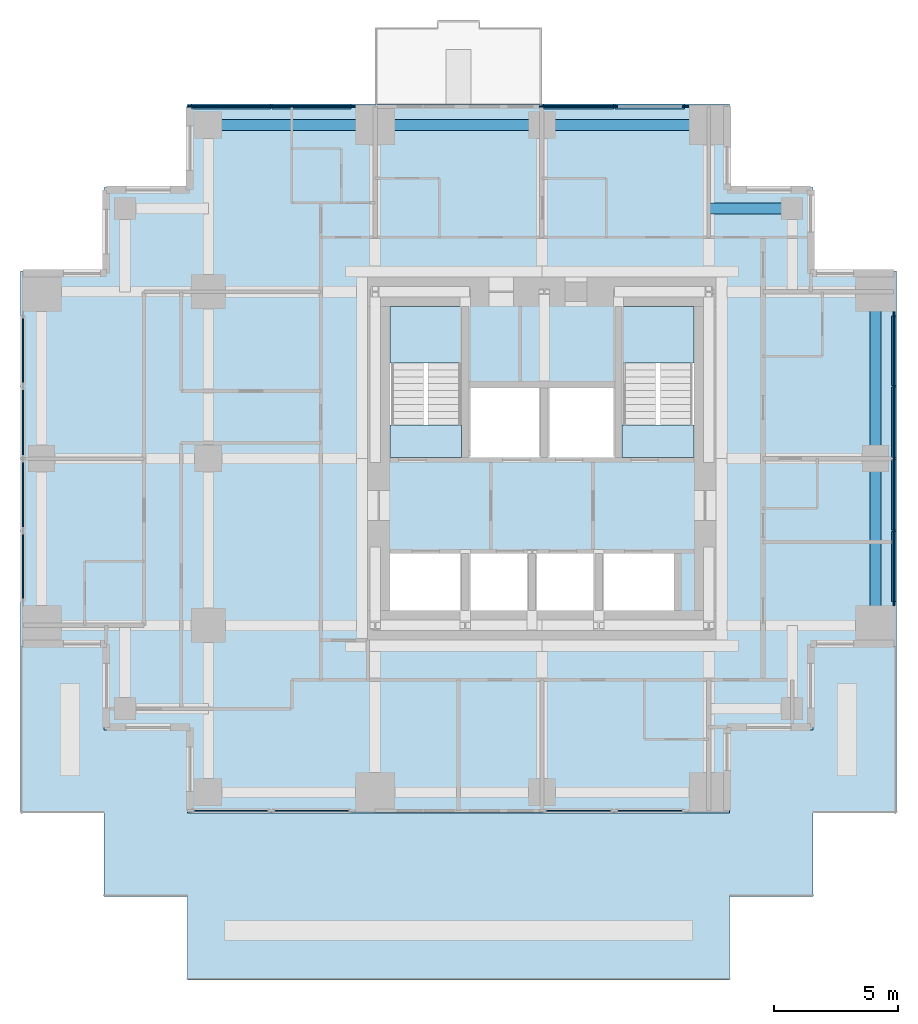
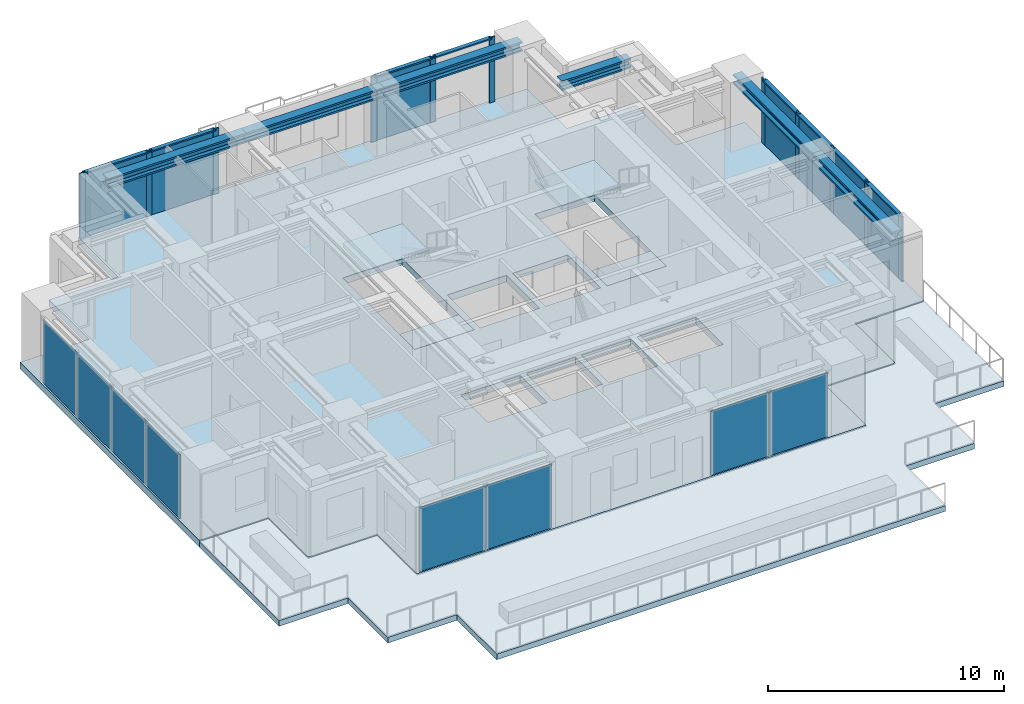
# One storey, part 2 of 7: 19 members, 15 plates, 6 beams, 6 slabs, 8 elements without a shape of their own.
"""IFC4 building model written with IfcOpenShell, lengths in metres."""

from ifc_helpers import new_model, si_unit, direction, frame, origin, origin_2d, place, context, subcontext, project, spatial, polyline, rectangle, i_section, outline, extrude, material, layer, layer_set, material_profile, profile_set, type_object, element, aggregate, save


model = new_model("IFC4")

# Units and contexts
model_context = context("Model", 3, precision=1e-05, world=origin(), true_north=direction((0.0, 1.0)))
body_context = subcontext(model_context, "Body", "Model", "MODEL_VIEW")
ifc_project = project(units=[si_unit("LENGTHUNIT", "METRE"), si_unit("AREAUNIT", "SQUARE_METRE"), si_unit("VOLUMEUNIT", "CUBIC_METRE"), si_unit("PLANEANGLEUNIT", "RADIAN"), si_unit("MASSUNIT", "GRAM", prefix="KILO")], contexts=[model_context])

# Site, building, storey
site_placement = place(None, origin())
site = spatial("IfcSite", under=ifc_project, at=site_placement, CompositionType="ELEMENT")
building_placement = place(site_placement, origin())
building = spatial("IfcBuilding", under=site, at=building_placement, Name="Nyansa Garden Tower", CompositionType="ELEMENT")
storey_placement = place(building_placement, frame((0.0, 0.0, 204.300048828125)))
storey = spatial("IfcBuildingStorey", under=building, at=storey_placement, Name="L55", CompositionType="ELEMENT", Elevation=204.300048828125)

# Curtain wall, members
ifc_material_1 = material(Name="Black anodised aluminium, dark tinted double glazing", Category="aluminium")
curtain_wall_type = type_object("IfcCurtainWallType", Name="Inner skin curtain wall ISW-D", PredefinedType="USERDEFINED", material=ifc_material_1)
curtain_wall_1_placement = place(storey_placement, origin())
curtain_wall_1 = element("IfcCurtainWall", 1, at=curtain_wall_1_placement, inside=storey, type_object=curtain_wall_type, Name="Inner skin curtain wall L55 E", ObjectType="UNITISED CURTAIN WALL", PredefinedType="USERDEFINED")
ifc_material_2 = material(Name="Black anodised aluminium", Category="aluminium")
ifc_material_profile_1 = material_profile(ifc_material_2, rectangle(XDim=0.070068359375, YDim=0.27490234375, at=origin_2d()), Name="Mullion 275x70")
ifc_profile_set_1 = profile_set([ifc_material_profile_1], Name="Black anodised aluminium")
member_type_1 = type_object("IfcMemberType", Name="Mullion ISW-D 275x70", PredefinedType="MULLION", material=ifc_profile_set_1)
member_1_placement = place(storey_placement, frame((34.5, 14.4375, 0.0), z_axis=(0.0, 0.0, 1.0), x_axis=(-1.0, 0.0, 0.0)))
member_1 = element("IfcMember", 2, at=member_1_placement, type_object=member_type_1, Name="ISW-D mullion 1", PredefinedType="MULLION", context=body_context, shape_type="SweptSolid", body=[
    extrude(rectangle(XDim=0.070068359375, YDim=0.27490234375, at=origin_2d()), origin(), (0.0, 0.0, 1.0), 3.375),
])
member_2_placement = place(storey_placement, frame((34.5, 17.326171875, 0.0), z_axis=(0.0, 0.0, 1.0), x_axis=(-1.0, 0.0, 0.0)))
member_2 = element("IfcMember", 3, at=member_2_placement, type_object=member_type_1, Name="ISW-D mullion 2", PredefinedType="MULLION", context=body_context, shape_type="SweptSolid", body=[
    extrude(rectangle(XDim=0.070068359375, YDim=0.27490234375, at=origin_2d()), origin(), (0.0, 0.0, 1.0), 3.375),
])
member_3_placement = place(storey_placement, frame((34.5, 20.25, 0.0), z_axis=(0.0, 0.0, 1.0), x_axis=(-1.0, 0.0, 0.0)))
member_3 = element("IfcMember", 4, at=member_3_placement, type_object=member_type_1, Name="ISW-D mullion 3", PredefinedType="MULLION", context=body_context, shape_type="SweptSolid", body=[
    extrude(rectangle(XDim=0.070068359375, YDim=0.27490234375, at=origin_2d()), origin(), (0.0, 0.0, 1.0), 3.375),
])
member_4_placement = place(storey_placement, frame((34.5, 23.173828125, 0.0), z_axis=(0.0, 0.0, 1.0), x_axis=(-1.0, 0.0, 0.0)))
member_4 = element("IfcMember", 5, at=member_4_placement, type_object=member_type_1, Name="ISW-D mullion 4", PredefinedType="MULLION", context=body_context, shape_type="SweptSolid", body=[
    extrude(rectangle(XDim=0.070068359375, YDim=0.27490234375, at=origin_2d()), origin(), (0.0, 0.0, 1.0), 3.375),
])
member_5_placement = place(storey_placement, frame((34.5, 26.0625, 0.0), z_axis=(0.0, 0.0, 1.0), x_axis=(-1.0, 0.0, 0.0)))
member_5 = element("IfcMember", 6, at=member_5_placement, type_object=member_type_1, Name="ISW-D mullion 5", PredefinedType="MULLION", context=body_context, shape_type="SweptSolid", body=[
    extrude(rectangle(XDim=0.070068359375, YDim=0.27490234375, at=origin_2d()), origin(), (0.0, 0.0, 1.0), 3.375),
])

curtain_wall_2_placement = place(storey_placement, origin())
curtain_wall_2 = element("IfcCurtainWall", 7, at=curtain_wall_2_placement, inside=storey, type_object=curtain_wall_type, Name="Inner skin curtain wall L55 N", ObjectType="UNITISED CURTAIN WALL", PredefinedType="USERDEFINED")
member_6_placement = place(storey_placement, frame((12.5625, 34.5, 0.0), z_axis=(0.0, 0.0, 1.0), x_axis=(0.0, -1.0, 0.0)))
member_6 = element("IfcMember", 8, at=member_6_placement, type_object=member_type_1, Name="ISW-D mullion 1", PredefinedType="MULLION", context=body_context, shape_type="SweptSolid", body=[
    extrude(rectangle(XDim=0.070068359375, YDim=0.27490234375, at=origin_2d()), origin(), (0.0, 0.0, 1.0), 3.375),
])
member_7_placement = place(storey_placement, frame((9.298828125, 34.5, 0.0), z_axis=(0.0, 0.0, 1.0), x_axis=(0.0, -1.0, 0.0)))
member_7 = element("IfcMember", 9, at=member_7_placement, type_object=member_type_1, Name="ISW-D mullion 2", PredefinedType="MULLION", context=body_context, shape_type="SweptSolid", body=[
    extrude(rectangle(XDim=0.070068359375, YDim=0.27490234375, at=origin_2d()), origin(), (0.0, 0.0, 1.0), 3.375),
])
member_8_placement = place(storey_placement, frame((6.034912109375, 34.5, 0.0), z_axis=(0.0, 0.0, 1.0), x_axis=(0.0, -1.0, 0.0)))
member_8 = element("IfcMember", 10, at=member_8_placement, type_object=member_type_1, Name="ISW-D mullion 3", PredefinedType="MULLION", context=body_context, shape_type="SweptSolid", body=[
    extrude(rectangle(XDim=0.070068359375, YDim=0.27490234375, at=origin_2d()), origin(), (0.0, 0.0, 1.0), 3.375),
])

curtain_wall_3_placement = place(storey_placement, origin())
curtain_wall_3 = element("IfcCurtainWall", 11, at=curtain_wall_3_placement, inside=storey, type_object=curtain_wall_type, Name="Inner skin curtain wall L55 N", ObjectType="UNITISED CURTAIN WALL", PredefinedType="USERDEFINED")
member_9_placement = place(storey_placement, frame((26.0625, 34.5, 0.0), z_axis=(0.0, 0.0, 1.0), x_axis=(0.0, -1.0, 0.0)))
member_9 = element("IfcMember", 12, at=member_9_placement, type_object=member_type_1, Name="ISW-D mullion 1", PredefinedType="MULLION", context=body_context, shape_type="SweptSolid", body=[
    extrude(rectangle(XDim=0.070068359375, YDim=0.27490234375, at=origin_2d()), origin(), (0.0, 0.0, 1.0), 3.375),
])
member_10_placement = place(storey_placement, frame((23.173828125, 34.5, 0.0), z_axis=(0.0, 0.0, 1.0), x_axis=(0.0, -1.0, 0.0)))
member_10 = element("IfcMember", 13, at=member_10_placement, type_object=member_type_1, Name="ISW-D mullion 2", PredefinedType="MULLION", context=body_context, shape_type="SweptSolid", body=[
    extrude(rectangle(XDim=0.070068359375, YDim=0.27490234375, at=origin_2d()), origin(), (0.0, 0.0, 1.0), 3.375),
])
member_11_placement = place(storey_placement, frame((20.284912109375, 34.5, 0.0), z_axis=(0.0, 0.0, 1.0), x_axis=(0.0, -1.0, 0.0)))
member_11 = element("IfcMember", 14, at=member_11_placement, type_object=member_type_1, Name="ISW-D mullion 3", PredefinedType="MULLION", context=body_context, shape_type="SweptSolid", body=[
    extrude(rectangle(XDim=0.070068359375, YDim=0.27490234375, at=origin_2d()), origin(), (0.0, 0.0, 1.0), 3.375),
])

# Beams
ifc_material_3 = material(Name="Steel S355", Category="steel")
ifc_material_profile_2 = material_profile(ifc_material_3, i_section(OverallWidth=0.431884765625, OverallDepth=0.498046875, WebThickness=0.0556640625, FlangeThickness=0.0888671875, FilletRadius=0.014892578125, at=origin_2d()), Name="HD 400x744")
ifc_profile_set_2 = profile_set([ifc_material_profile_2], Name="Steel S355")
beam_type_1 = type_object("IfcBeamType", Name="Steel beam SEBD-744 HD 400x744", PredefinedType="BEAM", material=ifc_profile_set_2)
for number, where, z_axis, x_axis, name in (
    (15, (6.75, 33.75, 3.1259765625), (1.0, 0.0, 0.0), (0.0, 1.0, 0.0), "Steel edge beam 3/J-4/J L56"),
    (16, (13.5, 33.75, 3.1259765625), (1.0, 0.0, 0.0), (0.0, 1.0, 0.0), "Steel edge beam 4/J-5/J L56"),
    (17, (20.25, 33.75, 3.1259765625), (1.0, 0.0, 0.0), (0.0, 1.0, 0.0), "Steel edge beam 5/J-6/J L56"),
    (18, (33.75, 13.5, 3.1259765625), (0.0, 1.0, 0.0), (-1.0, 0.0, 0.0), "Steel edge beam 7/F-7/G L56"),
    (19, (33.75, 20.25, 3.1259765625), (0.0, 1.0, 0.0), (-1.0, 0.0, 0.0), "Steel edge beam 7/G-7/H L56"),
):
    element("IfcBeam", number, at=place(storey_placement, frame(where, z_axis=z_axis, x_axis=x_axis)), inside=storey, type_object=beam_type_1, Name=name, PredefinedType="BEAM", context=body_context, shape_type="SweptSolid", body=[
        extrude(i_section(OverallWidth=0.431884765625, OverallDepth=0.498046875, WebThickness=0.0556640625, FlangeThickness=0.0888671875, FilletRadius=0.014892578125, at=origin_2d()), origin(), (0.0, 0.0, 1.0), 6.75),
    ])
ifc_material_4 = material(Name="Steel S355", Category="steel")
ifc_material_profile_3 = material_profile(ifc_material_4, i_section(OverallWidth=0.431884765625, OverallDepth=0.498046875, WebThickness=0.0556640625, FlangeThickness=0.0888671875, FilletRadius=0.014892578125, at=origin_2d()), Name="HD 400x744")
ifc_profile_set_3 = profile_set([ifc_material_profile_3], Name="Steel S355")
beam_type_2 = type_object("IfcBeamType", Name="Steel beam SSB1-744 HD 400x744", PredefinedType="BEAM", material=ifc_profile_set_3)
beam_placement = place(storey_placement, frame((30.375, 30.375, 3.1259765625), z_axis=(-1.0, 0.0, 0.0), x_axis=(0.0, -1.0, 0.0)))
element("IfcBeam", 20, at=beam_placement, inside=storey, type_object=beam_type_2, Name="Steel step beam 30.375/30.375 L56", PredefinedType="BEAM", context=body_context, shape_type="SweptSolid", body=[
    extrude(i_section(OverallWidth=0.431884765625, OverallDepth=0.498046875, WebThickness=0.0556640625, FlangeThickness=0.0888671875, FilletRadius=0.014892578125, at=origin_2d()), origin(), (0.0, 0.0, 1.0), 3.375),
])

# Member
ifc_material_5 = material(Name="Black anodised aluminium", Category="aluminium")
ifc_material_profile_4 = material_profile(ifc_material_5, rectangle(XDim=0.195068359375, YDim=0.070068359375, at=origin_2d()), Name="Transom 195x70")
ifc_profile_set_4 = profile_set([ifc_material_profile_4], Name="Black anodised aluminium")
member_type_2 = type_object("IfcMemberType", Name="Transom ISW-D 195x70", PredefinedType="USERDEFINED", material=ifc_profile_set_4)
member_12_placement = place(storey_placement, frame((34.5, 14.472412109375, 3.33984375), z_axis=(0.0, 1.0, 0.0), x_axis=(-1.0, 0.0, 0.0)))
member_12 = element("IfcMember", 21, at=member_12_placement, type_object=member_type_2, Name="ISW-D transom 1", ObjectType="TRANSOM", PredefinedType="USERDEFINED", context=body_context, shape_type="SweptSolid", body=[
    extrude(rectangle(XDim=0.195068359375, YDim=0.070068359375, at=origin_2d()), origin(), (0.0, 0.0, 1.0), 2.81884765625),
])

member_13_placement = place(storey_placement, frame((34.5, 17.361328125, 3.33984375), z_axis=(0.0, 1.0, 0.0), x_axis=(-1.0, 0.0, 0.0)))
member_13 = element("IfcMember", 22, at=member_13_placement, type_object=member_type_2, Name="ISW-D transom 2", ObjectType="TRANSOM", PredefinedType="USERDEFINED", context=body_context, shape_type="SweptSolid", body=[
    extrude(rectangle(XDim=0.195068359375, YDim=0.070068359375, at=origin_2d()), origin(), (0.0, 0.0, 1.0), 2.853759765625),
])

member_14_placement = place(storey_placement, frame((34.5, 20.284912109375, 3.33984375), z_axis=(0.0, 1.0, 0.0), x_axis=(-1.0, 0.0, 0.0)))
member_14 = element("IfcMember", 23, at=member_14_placement, type_object=member_type_2, Name="ISW-D transom 3", ObjectType="TRANSOM", PredefinedType="USERDEFINED", context=body_context, shape_type="SweptSolid", body=[
    extrude(rectangle(XDim=0.195068359375, YDim=0.070068359375, at=origin_2d()), origin(), (0.0, 0.0, 1.0), 2.853759765625),
])

member_15_placement = place(storey_placement, frame((34.5, 23.208740234375, 3.33984375), z_axis=(0.0, 1.0, 0.0), x_axis=(-1.0, 0.0, 0.0)))
member_15 = element("IfcMember", 24, at=member_15_placement, type_object=member_type_2, Name="ISW-D transom 4", ObjectType="TRANSOM", PredefinedType="USERDEFINED", context=body_context, shape_type="SweptSolid", body=[
    extrude(rectangle(XDim=0.195068359375, YDim=0.070068359375, at=origin_2d()), origin(), (0.0, 0.0, 1.0), 2.81884765625),
])

member_16_placement = place(storey_placement, frame((12.527587890625, 34.5, 3.33984375), z_axis=(-1.0, 0.0, 0.0), x_axis=(0.0, -1.0, 0.0)))
member_16 = element("IfcMember", 25, at=member_16_placement, type_object=member_type_2, Name="ISW-D transom 1", ObjectType="TRANSOM", PredefinedType="USERDEFINED", context=body_context, shape_type="SweptSolid", body=[
    extrude(rectangle(XDim=0.195068359375, YDim=0.070068359375, at=origin_2d()), origin(), (0.0, 0.0, 1.0), 3.19384765625),
])

member_17_placement = place(storey_placement, frame((9.263671875, 34.5, 3.33984375), z_axis=(-1.0, 0.0, 0.0), x_axis=(0.0, -1.0, 0.0)))
member_17 = element("IfcMember", 26, at=member_17_placement, type_object=member_type_2, Name="ISW-D transom 2", ObjectType="TRANSOM", PredefinedType="USERDEFINED", context=body_context, shape_type="SweptSolid", body=[
    extrude(rectangle(XDim=0.195068359375, YDim=0.070068359375, at=origin_2d()), origin(), (0.0, 0.0, 1.0), 3.193603515625),
])

member_18_placement = place(storey_placement, frame((26.027587890625, 34.5, 3.33984375), z_axis=(-1.0, 0.0, 0.0), x_axis=(0.0, -1.0, 0.0)))
member_18 = element("IfcMember", 27, at=member_18_placement, type_object=member_type_2, Name="ISW-D transom 1", ObjectType="TRANSOM", PredefinedType="USERDEFINED", context=body_context, shape_type="SweptSolid", body=[
    extrude(rectangle(XDim=0.195068359375, YDim=0.070068359375, at=origin_2d()), origin(), (0.0, 0.0, 1.0), 2.81884765625),
])

member_19_placement = place(storey_placement, frame((23.138671875, 34.5, 3.33984375), z_axis=(-1.0, 0.0, 0.0), x_axis=(0.0, -1.0, 0.0)))
member_19 = element("IfcMember", 28, at=member_19_placement, type_object=member_type_2, Name="ISW-D transom 2", ObjectType="TRANSOM", PredefinedType="USERDEFINED", context=body_context, shape_type="SweptSolid", body=[
    extrude(rectangle(XDim=0.195068359375, YDim=0.070068359375, at=origin_2d()), origin(), (0.0, 0.0, 1.0), 2.818603515625),
])

# Plate
ifc_material_6 = material(Name="Dark tinted laminated double glazing", Category="glass")
ifc_layer_1 = layer(ifc_material_6, 0.0439453125)
ifc_layer_set_1 = layer_set([ifc_layer_1], Name="Dark tinted vision panel VP-D")
plate_type = type_object("IfcPlateType", Name="Dark tinted vision panel VP-D", PredefinedType="CURTAIN_PANEL", material=ifc_layer_set_1)
plate_1_placement = place(storey_placement, frame((34.5, 15.8818359375, 0.0), z_axis=(0.0, 0.0, 1.0), x_axis=(0.0, 1.0, 0.0)))
plate_1 = element("IfcPlate", 29, at=plate_1_placement, type_object=plate_type, Name="ISW-D panel 1", PredefinedType="CURTAIN_PANEL", context=body_context, shape_type="SweptSolid", body=[
    extrude(rectangle(XDim=2.81884765625, YDim=0.0439453125, at=origin_2d()), origin(), (0.0, 0.0, 1.0), 3.304931640625),
])

plate_2_placement = place(storey_placement, frame((34.5, 18.7880859375, 0.0), z_axis=(0.0, 0.0, 1.0), x_axis=(0.0, 1.0, 0.0)))
plate_2 = element("IfcPlate", 30, at=plate_2_placement, type_object=plate_type, Name="ISW-D panel 2", PredefinedType="CURTAIN_PANEL", context=body_context, shape_type="SweptSolid", body=[
    extrude(rectangle(XDim=2.853759765625, YDim=0.0439453125, at=origin_2d()), origin(), (0.0, 0.0, 1.0), 3.304931640625),
])

plate_3_placement = place(storey_placement, frame((34.5, 21.7119140625, 0.0), z_axis=(0.0, 0.0, 1.0), x_axis=(0.0, 1.0, 0.0)))
plate_3 = element("IfcPlate", 31, at=plate_3_placement, type_object=plate_type, Name="ISW-D panel 3", PredefinedType="CURTAIN_PANEL", context=body_context, shape_type="SweptSolid", body=[
    extrude(rectangle(XDim=2.853759765625, YDim=0.0439453125, at=origin_2d()), origin(), (0.0, 0.0, 1.0), 3.304931640625),
])

plate_4_placement = place(storey_placement, frame((34.5, 24.6181640625, 0.0), z_axis=(0.0, 0.0, 1.0), x_axis=(0.0, 1.0, 0.0)))
plate_4 = element("IfcPlate", 32, at=plate_4_placement, type_object=plate_type, Name="ISW-D panel 4", PredefinedType="CURTAIN_PANEL", context=body_context, shape_type="SweptSolid", body=[
    extrude(rectangle(XDim=2.81884765625, YDim=0.0439453125, at=origin_2d()), origin(), (0.0, 0.0, 1.0), 3.304931640625),
])

aggregate(curtain_wall_1, [member_1, member_2, member_3, member_4, member_5, member_12, plate_1, member_13, plate_2, member_14, plate_3, member_15, plate_4])

plate_5_placement = place(storey_placement, frame((10.9306640625, 34.5, 0.0), z_axis=(0.0, 0.0, 1.0), x_axis=(-1.0, 0.0, 0.0)))
plate_5 = element("IfcPlate", 33, at=plate_5_placement, type_object=plate_type, Name="ISW-D panel 1", PredefinedType="CURTAIN_PANEL", context=body_context, shape_type="SweptSolid", body=[
    extrude(rectangle(XDim=3.19384765625, YDim=0.0439453125, at=origin_2d()), origin(), (0.0, 0.0, 1.0), 3.304931640625),
])

plate_6_placement = place(storey_placement, frame((7.6669921875, 34.5, 0.0), z_axis=(0.0, 0.0, 1.0), x_axis=(-1.0, 0.0, 0.0)))
plate_6 = element("IfcPlate", 34, at=plate_6_placement, type_object=plate_type, Name="ISW-D panel 2", PredefinedType="CURTAIN_PANEL", context=body_context, shape_type="SweptSolid", body=[
    extrude(rectangle(XDim=3.19384765625, YDim=0.0439453125, at=origin_2d()), origin(), (0.0, 0.0, 1.0), 3.304931640625),
])

aggregate(curtain_wall_2, [member_6, member_7, member_8, member_16, plate_5, member_17, plate_6])

plate_7_placement = place(storey_placement, frame((21.7294921875, 34.5, 0.0), z_axis=(0.0, 0.0, 1.0), x_axis=(-1.0, 0.0, 0.0)))
plate_7 = element("IfcPlate", 35, at=plate_7_placement, type_object=plate_type, Name="ISW-D panel 2", PredefinedType="CURTAIN_PANEL", context=body_context, shape_type="SweptSolid", body=[
    extrude(rectangle(XDim=2.81884765625, YDim=0.0439453125, at=origin_2d()), origin(), (0.0, 0.0, 1.0), 3.304931640625),
])

aggregate(curtain_wall_3, [member_9, member_10, member_11, member_18, member_19, plate_7])

# Curtain wall, plates
curtain_wall_4_placement = place(storey_placement, origin())
curtain_wall_4 = element("IfcCurtainWall", 36, at=curtain_wall_4_placement, inside=storey, type_object=curtain_wall_type, Name="Inner skin curtain wall L55 W", ObjectType="UNITISED CURTAIN WALL", PredefinedType="USERDEFINED")
plate_8_placement = place(storey_placement, frame((-0.75, 24.6181640625, 0.0), z_axis=(0.0, 0.0, 1.0), x_axis=(0.0, -1.0, 0.0)))
plate_8 = element("IfcPlate", 37, at=plate_8_placement, type_object=plate_type, Name="ISW-D panel 1", PredefinedType="CURTAIN_PANEL", context=body_context, shape_type="SweptSolid", body=[
    extrude(rectangle(XDim=2.81884765625, YDim=0.0439453125, at=origin_2d()), origin(), (0.0, 0.0, 1.0), 3.304931640625),
])
plate_9_placement = place(storey_placement, frame((-0.75, 21.7119140625, 0.0), z_axis=(0.0, 0.0, 1.0), x_axis=(0.0, -1.0, 0.0)))
plate_9 = element("IfcPlate", 38, at=plate_9_placement, type_object=plate_type, Name="ISW-D panel 2", PredefinedType="CURTAIN_PANEL", context=body_context, shape_type="SweptSolid", body=[
    extrude(rectangle(XDim=2.853759765625, YDim=0.0439453125, at=origin_2d()), origin(), (0.0, 0.0, 1.0), 3.304931640625),
])
plate_10_placement = place(storey_placement, frame((-0.75, 18.7880859375, 0.0), z_axis=(0.0, 0.0, 1.0), x_axis=(0.0, -1.0, 0.0)))
plate_10 = element("IfcPlate", 39, at=plate_10_placement, type_object=plate_type, Name="ISW-D panel 3", PredefinedType="CURTAIN_PANEL", context=body_context, shape_type="SweptSolid", body=[
    extrude(rectangle(XDim=2.853759765625, YDim=0.0439453125, at=origin_2d()), origin(), (0.0, 0.0, 1.0), 3.304931640625),
])
plate_11_placement = place(storey_placement, frame((-0.75, 15.8818359375, 0.0), z_axis=(0.0, 0.0, 1.0), x_axis=(0.0, -1.0, 0.0)))
plate_11 = element("IfcPlate", 40, at=plate_11_placement, type_object=plate_type, Name="ISW-D panel 4", PredefinedType="CURTAIN_PANEL", context=body_context, shape_type="SweptSolid", body=[
    extrude(rectangle(XDim=2.81884765625, YDim=0.0439453125, at=origin_2d()), origin(), (0.0, 0.0, 1.0), 3.304931640625),
])
aggregate(curtain_wall_4, [plate_8, plate_9, plate_10, plate_11])

curtain_wall_5_placement = place(storey_placement, origin())
curtain_wall_5 = element("IfcCurtainWall", 41, at=curtain_wall_5_placement, inside=storey, type_object=curtain_wall_type, Name="Inner skin curtain wall L55 S", ObjectType="UNITISED CURTAIN WALL", PredefinedType="USERDEFINED")
plate_12_placement = place(storey_placement, frame((7.6669921875, 6.0, 0.0), z_axis=(0.0, 0.0, 1.0), x_axis=(1.0, 0.0, 0.0)))
plate_12 = element("IfcPlate", 42, at=plate_12_placement, type_object=plate_type, Name="ISW-D panel 1", PredefinedType="CURTAIN_PANEL", context=body_context, shape_type="SweptSolid", body=[
    extrude(rectangle(XDim=3.19384765625, YDim=0.0439453125, at=origin_2d()), origin(), (0.0, 0.0, 1.0), 3.304931640625),
])
plate_13_placement = place(storey_placement, frame((10.9306640625, 6.0, 0.0), z_axis=(0.0, 0.0, 1.0), x_axis=(1.0, 0.0, 0.0)))
plate_13 = element("IfcPlate", 43, at=plate_13_placement, type_object=plate_type, Name="ISW-D panel 2", PredefinedType="CURTAIN_PANEL", context=body_context, shape_type="SweptSolid", body=[
    extrude(rectangle(XDim=3.19384765625, YDim=0.0439453125, at=origin_2d()), origin(), (0.0, 0.0, 1.0), 3.304931640625),
])
aggregate(curtain_wall_5, [plate_12, plate_13])

curtain_wall_6_placement = place(storey_placement, origin())
curtain_wall_6 = element("IfcCurtainWall", 44, at=curtain_wall_6_placement, inside=storey, type_object=curtain_wall_type, Name="Inner skin curtain wall L55 S", ObjectType="UNITISED CURTAIN WALL", PredefinedType="USERDEFINED")
plate_14_placement = place(storey_placement, frame((21.7294921875, 6.0, 0.0), z_axis=(0.0, 0.0, 1.0), x_axis=(1.0, 0.0, 0.0)))
plate_14 = element("IfcPlate", 45, at=plate_14_placement, type_object=plate_type, Name="ISW-D panel 1", PredefinedType="CURTAIN_PANEL", context=body_context, shape_type="SweptSolid", body=[
    extrude(rectangle(XDim=2.81884765625, YDim=0.0439453125, at=origin_2d()), origin(), (0.0, 0.0, 1.0), 3.304931640625),
])
plate_15_placement = place(storey_placement, frame((24.6181640625, 6.0, 0.0), z_axis=(0.0, 0.0, 1.0), x_axis=(1.0, 0.0, 0.0)))
plate_15 = element("IfcPlate", 46, at=plate_15_placement, type_object=plate_type, Name="ISW-D panel 2", PredefinedType="CURTAIN_PANEL", context=body_context, shape_type="SweptSolid", body=[
    extrude(rectangle(XDim=2.81884765625, YDim=0.0439453125, at=origin_2d()), origin(), (0.0, 0.0, 1.0), 3.304931640625),
])
aggregate(curtain_wall_6, [plate_14, plate_15])

# Stair, slabs
ifc_material_7 = material(Name="Precast concrete C40/50", Category="concrete")
stair_type_1 = type_object("IfcStairType", Name="Stair S1 180x280", PredefinedType="HALF_TURN_STAIR", material=ifc_material_7)
stair_1_placement = place(storey_placement, origin())
stair_1 = element("IfcStair", 47, at=stair_1_placement, inside=storey, type_object=stair_type_1, Name="Stair S1 L55", PredefinedType="HALF_TURN_STAIR")
ifc_material_8 = material(Name="Concrete C40/50", Category="concrete")
ifc_layer_2 = layer(ifc_material_8, 0.199951171875)
ifc_layer_set_2 = layer_set([ifc_layer_2], Name="Stair landing SL200")
slab_type_1 = type_object("IfcSlabType", Name="Stair landing SL200", PredefinedType="LANDING", material=ifc_layer_set_2)
slab_1_placement = place(storey_placement, frame((0.0, 0.0, -0.199951171875)))
slab_1 = element("IfcSlab", 48, at=slab_1_placement, type_object=slab_type_1, Name="S1 landing 1", PredefinedType="LANDING", context=body_context, shape_type="SweptSolid", body=[
    extrude(outline(polyline([(14.10009765625, 20.300048828125), (17.0, 20.300048828125), (17.0, 21.60009765625), (14.10009765625, 21.60009765625), (14.10009765625, 20.300048828125)])), origin(), (0.0, 0.0, 1.0), 0.199951171875),
])
slab_2_placement = place(storey_placement, frame((0.0, 0.0, 1.599853515625)))
slab_2 = element("IfcSlab", 49, at=slab_2_placement, type_object=slab_type_1, Name="S1 landing 2", PredefinedType="LANDING", context=body_context, shape_type="SweptSolid", body=[
    extrude(outline(polyline([(14.10009765625, 24.1201171875), (17.0, 24.1201171875), (17.0, 26.39990234375), (14.10009765625, 26.39990234375), (14.10009765625, 24.1201171875)])), origin(), (0.0, 0.0, 1.0), 0.2001953125),
])
aggregate(stair_1, [slab_1, slab_2])

ifc_material_9 = material(Name="Precast concrete C40/50", Category="concrete")
stair_type_2 = type_object("IfcStairType", Name="Stair S2 180x280", PredefinedType="HALF_TURN_STAIR", material=ifc_material_9)
stair_2_placement = place(storey_placement, origin())
stair_2 = element("IfcStair", 50, at=stair_2_placement, inside=storey, type_object=stair_type_2, Name="Stair S2 L55", PredefinedType="HALF_TURN_STAIR")
slab_3_placement = place(storey_placement, frame((0.0, 0.0, -0.199951171875)))
slab_3 = element("IfcSlab", 51, at=slab_3_placement, type_object=slab_type_1, Name="S2 landing 1", PredefinedType="LANDING", context=body_context, shape_type="SweptSolid", body=[
    extrude(outline(polyline([(23.5, 20.300048828125), (26.39990234375, 20.300048828125), (26.39990234375, 21.60009765625), (23.5, 21.60009765625), (23.5, 20.300048828125)])), origin(), (0.0, 0.0, 1.0), 0.199951171875),
])
slab_4_placement = place(storey_placement, frame((0.0, 0.0, 1.599853515625)))
slab_4 = element("IfcSlab", 52, at=slab_4_placement, type_object=slab_type_1, Name="S2 landing 2", PredefinedType="LANDING", context=body_context, shape_type="SweptSolid", body=[
    extrude(outline(polyline([(23.5, 24.1201171875), (26.39990234375, 24.1201171875), (26.39990234375, 26.39990234375), (23.5, 26.39990234375), (23.5, 24.1201171875)])), origin(), (0.0, 0.0, 1.0), 0.2001953125),
])
aggregate(stair_2, [slab_3, slab_4])

# Slabs
ifc_material_10 = material(Name="Concrete C40/50, waterproofed to falls", Category="concrete")
ifc_layer_3 = layer(ifc_material_10, 0.2900390625)
ifc_layer_set_3 = layer_set([ifc_layer_3], Name="Terrace slab TS290")
slab_type_2 = type_object("IfcSlabType", Name="Terrace slab TS290", PredefinedType="ROOF", material=ifc_layer_set_3)
slab_5_placement = place(storey_placement, frame((0.0, 0.0, -0.35009765625)))
element("IfcSlab", 53, at=slab_5_placement, inside=storey, type_object=slab_type_2, Name="Setback roof (maintenance access only) L55", PredefinedType="ROOF", context=body_context, shape_type="SweptSolid", body=[
    extrude(outline(polyline([(31.22509765625, 5.89990234375), (31.22509765625, 2.52490234375), (27.85009765625, 2.52490234375), (27.85009765625, -0.85009765625), (5.89990234375, -0.85009765625), (5.89990234375, 2.52490234375), (2.52490234375, 2.52490234375), (2.52490234375, 5.89990234375), (-0.85009765625, 5.89990234375), (-0.85009765625, 12.64990234375), (2.52490234375, 12.64990234375), (2.52490234375, 9.27490234375), (5.89990234375, 9.27490234375), (5.89990234375, 5.89990234375), (27.85009765625, 5.89990234375), (27.85009765625, 9.27490234375), (31.22509765625, 9.27490234375), (31.22509765625, 12.64990234375), (34.60009765625, 12.64990234375), (34.60009765625, 5.89990234375), (31.22509765625, 5.89990234375)])), origin(), (0.0, 0.0, 1.0), 0.2900390625),
])
ifc_material_11 = material(Name="Concrete C40/50", Category="concrete")
ifc_layer_4 = layer(ifc_material_11, 0.35009765625)
ifc_layer_set_4 = layer_set([ifc_layer_4], Name="Transfer floor slab FS350")
slab_type_3 = type_object("IfcSlabType", Name="Transfer floor slab FS350", PredefinedType="FLOOR", material=ifc_layer_set_4)
slab_6_placement = place(storey_placement, frame((0.0, 0.0, -0.35009765625)))
element("IfcSlab", 54, at=slab_6_placement, inside=storey, type_object=slab_type_3, Name="Floor slab L55", PredefinedType="FLOOR", context=body_context, shape_type="SweptSolid", body=[
    extrude(outline(polyline([(34.60009765625, 12.64990234375), (31.22509765625, 12.64990234375), (31.22509765625, 9.27490234375), (27.85009765625, 9.27490234375), (27.85009765625, 5.89990234375), (5.89990234375, 5.89990234375), (5.89990234375, 9.27490234375), (2.52490234375, 9.27490234375), (2.52490234375, 12.64990234375), (-0.85009765625, 12.64990234375), (-0.85009765625, 27.85009765625), (2.52490234375, 27.85009765625), (2.52490234375, 31.22509765625), (5.89990234375, 31.22509765625), (5.89990234375, 34.60009765625), (27.85009765625, 34.60009765625), (27.85009765625, 31.22509765625), (31.22509765625, 31.22509765625), (31.22509765625, 27.85009765625), (34.60009765625, 27.85009765625), (34.60009765625, 12.64990234375)]), holes=[polyline([(14.10009765625, 14.10009765625), (17.0, 14.10009765625), (17.0, 16.39990234375), (14.10009765625, 16.39990234375), (14.10009765625, 14.10009765625)]), polyline([(17.300048828125, 14.10009765625), (19.699951171875, 14.10009765625), (19.699951171875, 16.39990234375), (17.300048828125, 16.39990234375), (17.300048828125, 14.10009765625)]), polyline([(20.0, 14.10009765625), (22.39990234375, 14.10009765625), (22.39990234375, 16.39990234375), (20.0, 16.39990234375), (20.0, 14.10009765625)]), polyline([(22.699951171875, 14.10009765625), (25.60009765625, 14.10009765625), (25.60009765625, 16.39990234375), (22.699951171875, 16.39990234375), (22.699951171875, 14.10009765625)]), polyline([(17.300048828125, 20.300048828125), (20.199951171875, 20.300048828125), (20.199951171875, 23.10009765625), (17.300048828125, 23.10009765625), (17.300048828125, 20.300048828125)]), polyline([(20.5, 20.300048828125), (23.199951171875, 20.300048828125), (23.199951171875, 23.10009765625), (20.5, 23.10009765625), (20.5, 20.300048828125)]), polyline([(14.10009765625, 20.300048828125), (17.0, 20.300048828125), (17.0, 26.39990234375), (14.10009765625, 26.39990234375), (14.10009765625, 20.300048828125)]), polyline([(23.5, 20.300048828125), (26.39990234375, 20.300048828125), (26.39990234375, 26.39990234375), (23.5, 26.39990234375), (23.5, 20.300048828125)])]), origin(), (0.0, 0.0, 1.0), 0.35009765625),
])

save(model, "model.ifc")
